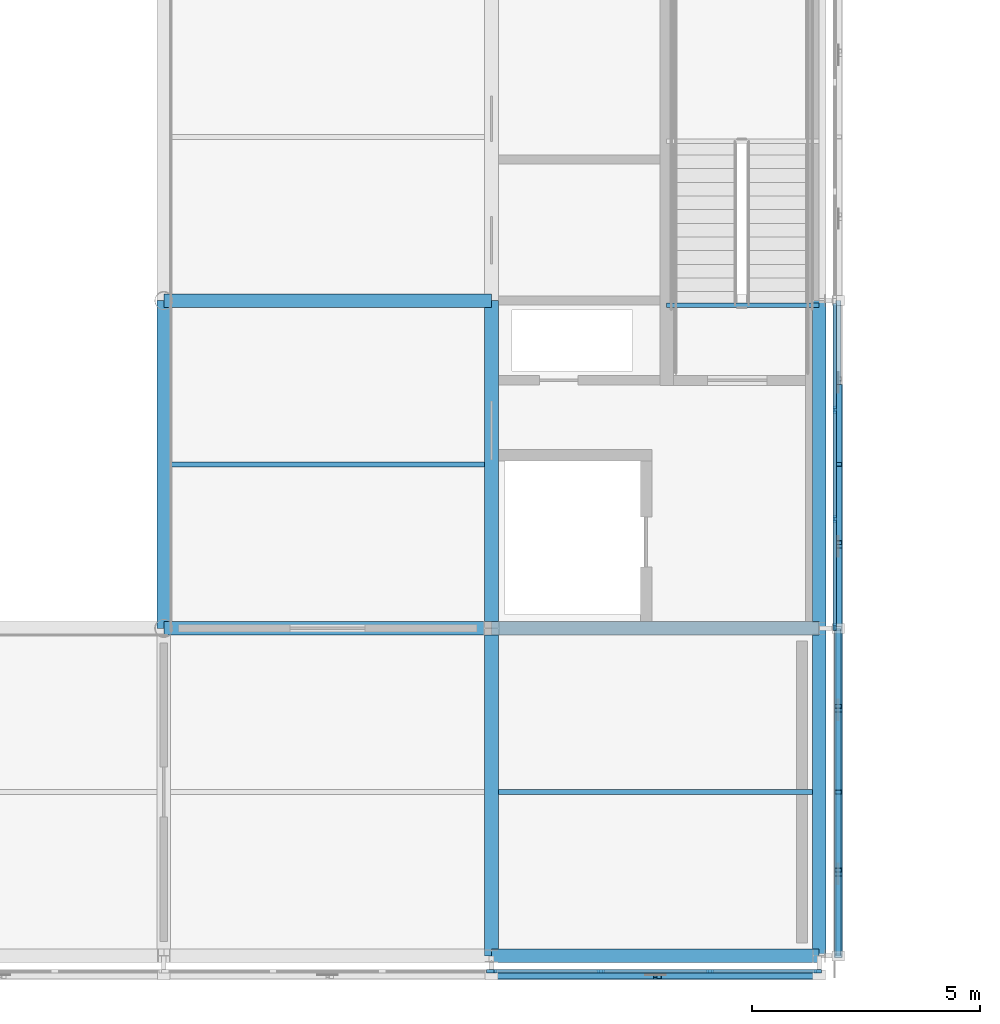
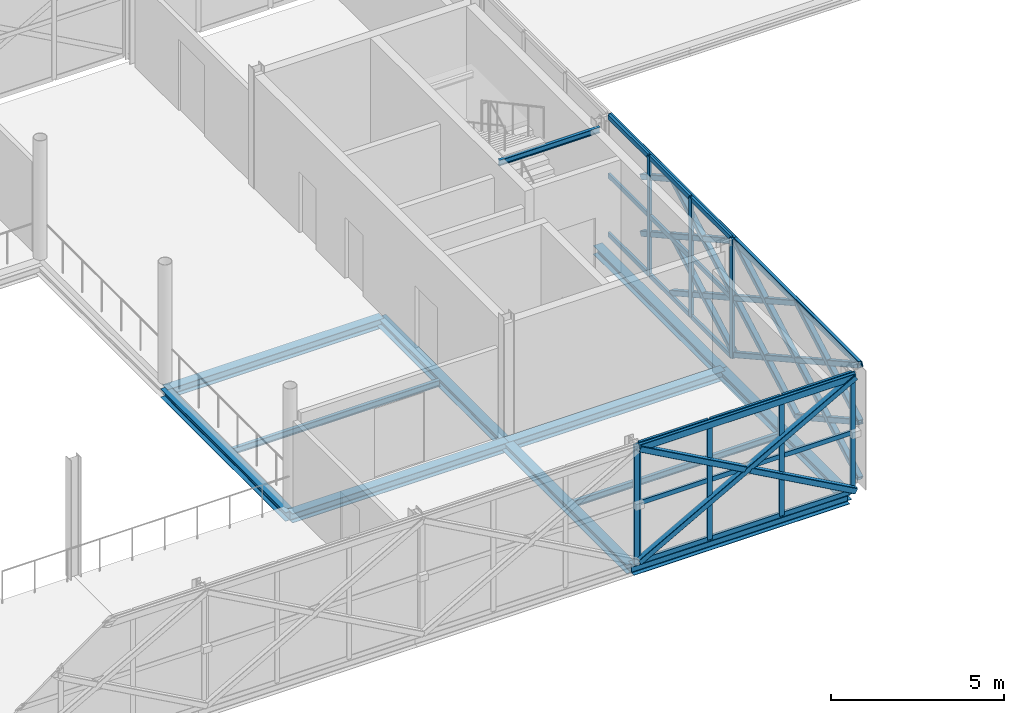
# One storey, part 40 of 103: 52 members, 12 beams, 3 elements without a shape of their own.
"""IFC4 building model written with IfcOpenShell, lengths in metres."""

from ifc_helpers import new_model, si_unit, direction, frame, origin, origin_2d, place, context, subcontext, project, spatial, rectangle, hollow_rectangle, i_section, extrude, material, material_profile, profile_set, type_object, element, aggregate, save


model = new_model("IFC4")

# Units and contexts
model_context = context("Model", 3, precision=1e-05, world=origin(), true_north=direction((0.0, 1.0)))
body_context = subcontext(model_context, "Body", "Model", "MODEL_VIEW")
ifc_project = project(units=[si_unit("LENGTHUNIT", "METRE"), si_unit("AREAUNIT", "SQUARE_METRE"), si_unit("VOLUMEUNIT", "CUBIC_METRE"), si_unit("PLANEANGLEUNIT", "RADIAN"), si_unit("MASSUNIT", "GRAM", prefix="KILO")], contexts=[model_context])

# Site, building, storey
site_placement = place(None, origin())
site = spatial("IfcSite", under=ifc_project, at=site_placement, CompositionType="ELEMENT")
building_placement = place(site_placement, origin())
building = spatial("IfcBuilding", under=site, at=building_placement, Name="Zlatovets Crest Museum", CompositionType="ELEMENT")
storey_placement = place(building_placement, frame((0.0, 0.0, 12.89990234375)))
storey = spatial("IfcBuildingStorey", under=building, at=storey_placement, Name="L03", CompositionType="ELEMENT", Elevation=12.89990234375)

# Beams
ifc_material_1 = material(Name="Structural steel S355J2", Category="steel")
ifc_material_profile_1 = material_profile(ifc_material_1, i_section(OverallWidth=0.300048828125, OverallDepth=0.31005859375, WebThickness=0.009033203125, FlangeThickness=0.015380859375, FilletRadius=0.027099609375, at=origin_2d()), Name="HEA 320")
ifc_profile_set_1 = profile_set([ifc_material_profile_1], Name="Structural steel S355J2")
beam_type_1 = type_object("IfcBeamType", Name="Beam_B-04", PredefinedType="BEAM", material=ifc_profile_set_1)
for number, where, z_axis, x_axis, name in (
    (1, (93.60009765625, 7.199951171875, -0.39501953125), (0.0, 1.0, 0.0), (-1.0, 0.0, 0.0), "V2 L03 Grid Beam B-04"),
    (2, (100.800048828125, 0.0, -0.39501953125), (0.0, 1.0, 0.0), (-1.0, 0.0, 0.0), "V2 L03 Grid Beam B-04"),
    (3, (100.800048828125, 7.199951171875, -0.39501953125), (0.0, 1.0, 0.0), (-1.0, 0.0, 0.0), "V2 L03 Grid Beam B-04"),
    (4, (108.0, 0.0, -0.39501953125), (0.0, 1.0, 0.0), (-1.0, 0.0, 0.0), "V2 L03 Grid Beam B-04"),
    (5, (108.0, 7.199951171875, -0.39501953125), (0.0, 1.0, 0.0), (-1.0, 0.0, 0.0), "V2 L03 Grid Beam B-04"),
):
    element("IfcBeam", number, at=place(storey_placement, frame(where, z_axis=z_axis, x_axis=x_axis)), inside=storey, type_object=beam_type_1, Name=name, PredefinedType="BEAM", context=body_context, shape_type="SweptSolid", body=[
        extrude(i_section(OverallWidth=0.300048828125, OverallDepth=0.31005859375, WebThickness=0.009033203125, FlangeThickness=0.015380859375, FilletRadius=0.027099609375, at=origin_2d()), origin(), (0.0, 0.0, 1.0), 7.199951171875),
    ])
ifc_material_profile_2 = material_profile(ifc_material_1, i_section(OverallWidth=0.300048828125, OverallDepth=0.330078125, WebThickness=0.009521484375, FlangeThickness=0.0166015625, FilletRadius=0.027099609375, at=origin_2d()), Name="HEA 340")
ifc_profile_set_2 = profile_set([ifc_material_profile_2], Name="Structural steel S355J2")
beam_type_2 = type_object("IfcBeamType", Name="Beam_B-11", PredefinedType="BEAM", material=ifc_profile_set_2)
for number, where, z_axis, x_axis, name in (
    (6, (100.800048828125, 0.0, -0.40478515625), (1.0, 0.0, 0.0), (0.0, 1.0, 0.0), "V2 L03 Primary Girder B-11"),
    (7, (93.60009765625, 7.199951171875, -0.40478515625), (1.0, 0.0, 0.0), (0.0, 1.0, 0.0), "V2 L03 Primary Girder B-11"),
    (8, (100.800048828125, 7.199951171875, -0.40478515625), (1.0, 0.0, 0.0), (0.0, 1.0, 0.0), "V2 L03 Primary Girder B-11"),
    (9, (93.60009765625, 14.39990234375, -0.40478515625), (1.0, 0.0, 0.0), (0.0, 1.0, 0.0), "V2 L03 Primary Girder B-11"),
):
    element("IfcBeam", number, at=place(storey_placement, frame(where, z_axis=z_axis, x_axis=x_axis)), inside=storey, type_object=beam_type_2, Name=name, PredefinedType="BEAM", context=body_context, shape_type="SweptSolid", body=[
        extrude(i_section(OverallWidth=0.300048828125, OverallDepth=0.330078125, WebThickness=0.009521484375, FlangeThickness=0.0166015625, FilletRadius=0.027099609375, at=origin_2d()), origin(), (0.0, 0.0, 1.0), 7.199951171875),
    ])
ifc_material_profile_3 = material_profile(ifc_material_1, i_section(OverallWidth=0.110107421875, OverallDepth=0.219970703125, WebThickness=0.005859375, FlangeThickness=0.00927734375, FilletRadius=0.011962890625, at=origin_2d()), Name="IPE 220")
ifc_profile_set_3 = profile_set([ifc_material_profile_3], Name="Structural steel S355J2")
beam_type_3 = type_object("IfcBeamType", Name="Beam_J-10", PredefinedType="JOIST", material=ifc_profile_set_3)
beam_1_placement = place(storey_placement, frame((93.75, 10.800048828125, -0.349853515625), z_axis=(1.0, 0.0, 0.0), x_axis=(0.0, 1.0, 0.0)))
element("IfcBeam", 10, at=beam_1_placement, inside=storey, type_object=beam_type_3, Name="V2 L03 Composite Joist J-10", PredefinedType="JOIST", context=body_context, shape_type="SweptSolid", body=[
    extrude(i_section(OverallWidth=0.110107421875, OverallDepth=0.219970703125, WebThickness=0.005859375, FlangeThickness=0.00927734375, FilletRadius=0.011962890625, at=origin_2d()), origin(), (0.0, 0.0, 1.0), 6.89990234375),
])
beam_2_placement = place(storey_placement, frame((100.949951171875, 3.60009765625, -0.349853515625), z_axis=(1.0, 0.0, 0.0), x_axis=(0.0, 1.0, 0.0)))
element("IfcBeam", 11, at=beam_2_placement, inside=storey, type_object=beam_type_3, Name="V2 L03 Composite Joist J-10", PredefinedType="JOIST", context=body_context, shape_type="SweptSolid", body=[
    extrude(i_section(OverallWidth=0.110107421875, OverallDepth=0.219970703125, WebThickness=0.005859375, FlangeThickness=0.00927734375, FilletRadius=0.011962890625, at=origin_2d()), origin(), (0.0, 0.0, 1.0), 6.900146484375),
])
ifc_material_profile_4 = material_profile(ifc_material_1, i_section(OverallWidth=0.10009765625, OverallDepth=0.199951171875, WebThickness=0.005615234375, FlangeThickness=0.008544921875, FilletRadius=0.011962890625, at=origin_2d()), Name="IPE 200")
ifc_profile_set_4 = profile_set([ifc_material_profile_4], Name="Structural steel S355J2")
beam_type_4 = type_object("IfcBeamType", Name="Beam_PR-02", PredefinedType="LINTEL", material=ifc_profile_set_4)
beam_3_placement = place(storey_placement, frame((104.64990234375, 14.300048828125, 3.860107421875), z_axis=(1.0, 0.0, 0.0), x_axis=(0.0, 1.0, 0.0)))
element("IfcBeam", 12, at=beam_3_placement, inside=storey, type_object=beam_type_4, Name="Core C8 L03 Stair Well Header Beam", PredefinedType="LINTEL", context=body_context, shape_type="SweptSolid", body=[
    extrude(i_section(OverallWidth=0.10009765625, OverallDepth=0.199951171875, WebThickness=0.005615234375, FlangeThickness=0.008544921875, FilletRadius=0.011962890625, at=origin_2d()), origin(), (0.0, 0.0, 1.0), 3.35009765625),
])

# Curtain wall, member
ifc_material_2 = material(Name="Bronze-anodised aluminium and low-E triple glass", Category="aluminium")
curtain_wall_type_1 = type_object("IfcCurtainWallType", Name="CW_CW-V2-L03-M1", PredefinedType="NOTDEFINED", material=ifc_material_2)
curtain_wall_1_placement = place(storey_placement, origin())
curtain_wall_1 = element("IfcCurtainWall", 13, at=curtain_wall_1_placement, inside=storey, type_object=curtain_wall_type_1, Name="V2 L03 Secession Foyer Clear Curtain Wall", PredefinedType="NOTDEFINED")
ifc_material_3 = material(Name="Bronze-anodised aluminium EN AW-6060", Category="aluminium")
ifc_material_profile_5 = material_profile(ifc_material_3, rectangle(XDim=0.080078125, YDim=0.159912109375, at=origin_2d()), Name="ALU 80x160")
ifc_profile_set_5 = profile_set([ifc_material_profile_5], Name="Bronze-anodised aluminium EN AW-6060")
member_type_1 = type_object("IfcMemberType", Name="CWMull_M1", PredefinedType="MULLION", material=ifc_profile_set_5)
member_1_placement = place(storey_placement, frame((100.77001953125, -0.340087890625, 0.0), z_axis=(0.0, 0.0, 1.0), x_axis=(0.0, 1.0, 0.0)))
member_1 = element("IfcMember", 14, at=member_1_placement, type_object=member_type_1, Name="CW-V2-L03-M1 mullion 4", PredefinedType="MULLION", context=body_context, shape_type="SweptSolid", body=[
    extrude(rectangle(XDim=0.080078125, YDim=0.159912109375, at=origin_2d()), origin(), (0.0, 0.0, 1.0), 4.2001953125),
])
aggregate(curtain_wall_1, [member_1])

# Curtain wall, members
curtain_wall_type_2 = type_object("IfcCurtainWallType", Name="CW_CW-V2-L03-M2", PredefinedType="NOTDEFINED", material=ifc_material_2)
curtain_wall_2_placement = place(storey_placement, origin())
curtain_wall_2 = element("IfcCurtainWall", 15, at=curtain_wall_2_placement, inside=storey, type_object=curtain_wall_type_2, Name="V2 L03 Secession Foyer Clear Curtain Wall", PredefinedType="NOTDEFINED")
member_2_placement = place(storey_placement, frame((100.830078125, -0.340087890625, 0.0), z_axis=(0.0, 0.0, 1.0), x_axis=(0.0, 1.0, 0.0)))
member_2 = element("IfcMember", 16, at=member_2_placement, type_object=member_type_1, Name="CW-V2-L03-M2 mullion 1", PredefinedType="MULLION", context=body_context, shape_type="SweptSolid", body=[
    extrude(rectangle(XDim=0.080078125, YDim=0.159912109375, at=origin_2d()), origin(), (0.0, 0.0, 1.0), 4.2001953125),
])
member_3_placement = place(storey_placement, frame((103.199951171875, -0.340087890625, 0.0), z_axis=(0.0, 0.0, 1.0), x_axis=(0.0, 1.0, 0.0)))
member_3 = element("IfcMember", 17, at=member_3_placement, type_object=member_type_1, Name="CW-V2-L03-M2 mullion 2", PredefinedType="MULLION", context=body_context, shape_type="SweptSolid", body=[
    extrude(rectangle(XDim=0.080078125, YDim=0.159912109375, at=origin_2d()), origin(), (0.0, 0.0, 1.0), 4.2001953125),
])
member_4_placement = place(storey_placement, frame((105.60009765625, -0.340087890625, 0.0), z_axis=(0.0, 0.0, 1.0), x_axis=(0.0, 1.0, 0.0)))
member_4 = element("IfcMember", 18, at=member_4_placement, type_object=member_type_1, Name="CW-V2-L03-M2 mullion 3", PredefinedType="MULLION", context=body_context, shape_type="SweptSolid", body=[
    extrude(rectangle(XDim=0.080078125, YDim=0.159912109375, at=origin_2d()), origin(), (0.0, 0.0, 1.0), 4.2001953125),
])
member_5_placement = place(storey_placement, frame((107.969970703125, -0.340087890625, 0.0), z_axis=(0.0, 0.0, 1.0), x_axis=(0.0, 1.0, 0.0)))
member_5 = element("IfcMember", 19, at=member_5_placement, type_object=member_type_1, Name="CW-V2-L03-M2 mullion 4", PredefinedType="MULLION", context=body_context, shape_type="SweptSolid", body=[
    extrude(rectangle(XDim=0.080078125, YDim=0.159912109375, at=origin_2d()), origin(), (0.0, 0.0, 1.0), 4.2001953125),
])

curtain_wall_type_3 = type_object("IfcCurtainWallType", Name="CW_CW-V2-L03-M0", PredefinedType="NOTDEFINED", material=ifc_material_2)
curtain_wall_3_placement = place(storey_placement, origin())
curtain_wall_3 = element("IfcCurtainWall", 20, at=curtain_wall_3_placement, inside=storey, type_object=curtain_wall_type_3, Name="V2 L03 Expressed Core Glazed Facade", PredefinedType="NOTDEFINED")
member_6_placement = place(storey_placement, frame((108.340087890625, 7.22998046875, 0.0), z_axis=(0.0, 0.0, 1.0), x_axis=(-1.0, 0.0, 0.0)))
member_6 = element("IfcMember", 21, at=member_6_placement, type_object=member_type_1, Name="CW-V2-L03-M0 mullion 1", PredefinedType="MULLION", context=body_context, shape_type="SweptSolid", body=[
    extrude(rectangle(XDim=0.080078125, YDim=0.159912109375, at=origin_2d()), origin(), (0.0, 0.0, 1.0), 4.2001953125),
])
member_7_placement = place(storey_placement, frame((108.340087890625, 9.60009765625, 0.0), z_axis=(0.0, 0.0, 1.0), x_axis=(-1.0, 0.0, 0.0)))
member_7 = element("IfcMember", 22, at=member_7_placement, type_object=member_type_1, Name="CW-V2-L03-M0 mullion 2", PredefinedType="MULLION", context=body_context, shape_type="SweptSolid", body=[
    extrude(rectangle(XDim=0.080078125, YDim=0.159912109375, at=origin_2d()), origin(), (0.0, 0.0, 1.0), 4.2001953125),
])
member_8_placement = place(storey_placement, frame((108.340087890625, 12.0, 0.0), z_axis=(0.0, 0.0, 1.0), x_axis=(-1.0, 0.0, 0.0)))
member_8 = element("IfcMember", 23, at=member_8_placement, type_object=member_type_1, Name="CW-V2-L03-M0 mullion 3", PredefinedType="MULLION", context=body_context, shape_type="SweptSolid", body=[
    extrude(rectangle(XDim=0.080078125, YDim=0.159912109375, at=origin_2d()), origin(), (0.0, 0.0, 1.0), 4.2001953125),
])

# Member
ifc_material_profile_6 = material_profile(ifc_material_3, rectangle(XDim=0.080078125, YDim=0.159912109375, at=origin_2d()), Name="ALU 80x160")
ifc_profile_set_6 = profile_set([ifc_material_profile_6], Name="Bronze-anodised aluminium EN AW-6060")
member_type_2 = type_object("IfcMemberType", Name="CWTrans_T1", PredefinedType="USERDEFINED", material=ifc_profile_set_6)
member_9_placement = place(storey_placement, frame((100.860107421875, -0.340087890625, 0.030029296875), z_axis=(1.0, 0.0, 0.0), x_axis=(0.0, 1.0, 0.0)))
member_9 = element("IfcMember", 24, at=member_9_placement, type_object=member_type_2, Name="CW-V2-L03-M2 transom 1.1", ObjectType="TRANSOM", PredefinedType="USERDEFINED", context=body_context, shape_type="SweptSolid", body=[
    extrude(rectangle(XDim=0.080078125, YDim=0.159912109375, at=origin_2d()), origin(), (0.0, 0.0, 1.0), 2.309814453125),
])

member_10_placement = place(storey_placement, frame((100.860107421875, -0.340087890625, 2.10009765625), z_axis=(1.0, 0.0, 0.0), x_axis=(0.0, 1.0, 0.0)))
member_10 = element("IfcMember", 25, at=member_10_placement, type_object=member_type_2, Name="CW-V2-L03-M2 transom 1.2", ObjectType="TRANSOM", PredefinedType="USERDEFINED", context=body_context, shape_type="SweptSolid", body=[
    extrude(rectangle(XDim=0.080078125, YDim=0.159912109375, at=origin_2d()), origin(), (0.0, 0.0, 1.0), 2.309814453125),
])

member_11_placement = place(storey_placement, frame((100.860107421875, -0.340087890625, 4.170166015625), z_axis=(1.0, 0.0, 0.0), x_axis=(0.0, 1.0, 0.0)))
member_11 = element("IfcMember", 26, at=member_11_placement, type_object=member_type_2, Name="CW-V2-L03-M2 transom 1.3", ObjectType="TRANSOM", PredefinedType="USERDEFINED", context=body_context, shape_type="SweptSolid", body=[
    extrude(rectangle(XDim=0.080078125, YDim=0.159912109375, at=origin_2d()), origin(), (0.0, 0.0, 1.0), 2.309814453125),
])

member_12_placement = place(storey_placement, frame((103.22998046875, -0.340087890625, 0.030029296875), z_axis=(1.0, 0.0, 0.0), x_axis=(0.0, 1.0, 0.0)))
member_12 = element("IfcMember", 27, at=member_12_placement, type_object=member_type_2, Name="CW-V2-L03-M2 transom 2.1", ObjectType="TRANSOM", PredefinedType="USERDEFINED", context=body_context, shape_type="SweptSolid", body=[
    extrude(rectangle(XDim=0.080078125, YDim=0.159912109375, at=origin_2d()), origin(), (0.0, 0.0, 1.0), 2.340087890625),
])

member_13_placement = place(storey_placement, frame((103.22998046875, -0.340087890625, 2.10009765625), z_axis=(1.0, 0.0, 0.0), x_axis=(0.0, 1.0, 0.0)))
member_13 = element("IfcMember", 28, at=member_13_placement, type_object=member_type_2, Name="CW-V2-L03-M2 transom 2.2", ObjectType="TRANSOM", PredefinedType="USERDEFINED", context=body_context, shape_type="SweptSolid", body=[
    extrude(rectangle(XDim=0.080078125, YDim=0.159912109375, at=origin_2d()), origin(), (0.0, 0.0, 1.0), 2.340087890625),
])

member_14_placement = place(storey_placement, frame((103.22998046875, -0.340087890625, 4.170166015625), z_axis=(1.0, 0.0, 0.0), x_axis=(0.0, 1.0, 0.0)))
member_14 = element("IfcMember", 29, at=member_14_placement, type_object=member_type_2, Name="CW-V2-L03-M2 transom 2.3", ObjectType="TRANSOM", PredefinedType="USERDEFINED", context=body_context, shape_type="SweptSolid", body=[
    extrude(rectangle(XDim=0.080078125, YDim=0.159912109375, at=origin_2d()), origin(), (0.0, 0.0, 1.0), 2.340087890625),
])

member_15_placement = place(storey_placement, frame((105.6298828125, -0.340087890625, 0.030029296875), z_axis=(1.0, 0.0, 0.0), x_axis=(0.0, 1.0, 0.0)))
member_15 = element("IfcMember", 30, at=member_15_placement, type_object=member_type_2, Name="CW-V2-L03-M2 transom 3.1", ObjectType="TRANSOM", PredefinedType="USERDEFINED", context=body_context, shape_type="SweptSolid", body=[
    extrude(rectangle(XDim=0.080078125, YDim=0.159912109375, at=origin_2d()), origin(), (0.0, 0.0, 1.0), 2.31005859375),
])

member_16_placement = place(storey_placement, frame((105.6298828125, -0.340087890625, 2.10009765625), z_axis=(1.0, 0.0, 0.0), x_axis=(0.0, 1.0, 0.0)))
member_16 = element("IfcMember", 31, at=member_16_placement, type_object=member_type_2, Name="CW-V2-L03-M2 transom 3.2", ObjectType="TRANSOM", PredefinedType="USERDEFINED", context=body_context, shape_type="SweptSolid", body=[
    extrude(rectangle(XDim=0.080078125, YDim=0.159912109375, at=origin_2d()), origin(), (0.0, 0.0, 1.0), 2.31005859375),
])

member_17_placement = place(storey_placement, frame((105.6298828125, -0.340087890625, 4.170166015625), z_axis=(1.0, 0.0, 0.0), x_axis=(0.0, 1.0, 0.0)))
member_17 = element("IfcMember", 32, at=member_17_placement, type_object=member_type_2, Name="CW-V2-L03-M2 transom 3.3", ObjectType="TRANSOM", PredefinedType="USERDEFINED", context=body_context, shape_type="SweptSolid", body=[
    extrude(rectangle(XDim=0.080078125, YDim=0.159912109375, at=origin_2d()), origin(), (0.0, 0.0, 1.0), 2.31005859375),
])

aggregate(curtain_wall_2, [member_2, member_3, member_4, member_5, member_9, member_10, member_11, member_12, member_13, member_14, member_15, member_16, member_17])

member_18_placement = place(storey_placement, frame((108.340087890625, 7.260009765625, 0.030029296875), z_axis=(0.0, 1.0, 0.0), x_axis=(-1.0, 0.0, 0.0)))
member_18 = element("IfcMember", 33, at=member_18_placement, type_object=member_type_2, Name="CW-V2-L03-M0 transom 1.1", ObjectType="TRANSOM", PredefinedType="USERDEFINED", context=body_context, shape_type="SweptSolid", body=[
    extrude(rectangle(XDim=0.080078125, YDim=0.159912109375, at=origin_2d()), origin(), (0.0, 0.0, 1.0), 2.31005859375),
])

member_19_placement = place(storey_placement, frame((108.340087890625, 7.260009765625, 2.10009765625), z_axis=(0.0, 1.0, 0.0), x_axis=(-1.0, 0.0, 0.0)))
member_19 = element("IfcMember", 34, at=member_19_placement, type_object=member_type_2, Name="CW-V2-L03-M0 transom 1.2", ObjectType="TRANSOM", PredefinedType="USERDEFINED", context=body_context, shape_type="SweptSolid", body=[
    extrude(rectangle(XDim=0.080078125, YDim=0.159912109375, at=origin_2d()), origin(), (0.0, 0.0, 1.0), 2.31005859375),
])

member_20_placement = place(storey_placement, frame((108.340087890625, 7.260009765625, 4.170166015625), z_axis=(0.0, 1.0, 0.0), x_axis=(-1.0, 0.0, 0.0)))
member_20 = element("IfcMember", 35, at=member_20_placement, type_object=member_type_2, Name="CW-V2-L03-M0 transom 1.3", ObjectType="TRANSOM", PredefinedType="USERDEFINED", context=body_context, shape_type="SweptSolid", body=[
    extrude(rectangle(XDim=0.080078125, YDim=0.159912109375, at=origin_2d()), origin(), (0.0, 0.0, 1.0), 2.31005859375),
])

member_21_placement = place(storey_placement, frame((108.340087890625, 9.6298828125, 0.030029296875), z_axis=(0.0, 1.0, 0.0), x_axis=(-1.0, 0.0, 0.0)))
member_21 = element("IfcMember", 36, at=member_21_placement, type_object=member_type_2, Name="CW-V2-L03-M0 transom 2.1", ObjectType="TRANSOM", PredefinedType="USERDEFINED", context=body_context, shape_type="SweptSolid", body=[
    extrude(rectangle(XDim=0.080078125, YDim=0.159912109375, at=origin_2d()), origin(), (0.0, 0.0, 1.0), 2.340087890625),
])

member_22_placement = place(storey_placement, frame((108.340087890625, 9.6298828125, 2.10009765625), z_axis=(0.0, 1.0, 0.0), x_axis=(-1.0, 0.0, 0.0)))
member_22 = element("IfcMember", 37, at=member_22_placement, type_object=member_type_2, Name="CW-V2-L03-M0 transom 2.2", ObjectType="TRANSOM", PredefinedType="USERDEFINED", context=body_context, shape_type="SweptSolid", body=[
    extrude(rectangle(XDim=0.080078125, YDim=0.159912109375, at=origin_2d()), origin(), (0.0, 0.0, 1.0), 2.340087890625),
])

member_23_placement = place(storey_placement, frame((108.340087890625, 9.6298828125, 4.170166015625), z_axis=(0.0, 1.0, 0.0), x_axis=(-1.0, 0.0, 0.0)))
member_23 = element("IfcMember", 38, at=member_23_placement, type_object=member_type_2, Name="CW-V2-L03-M0 transom 2.3", ObjectType="TRANSOM", PredefinedType="USERDEFINED", context=body_context, shape_type="SweptSolid", body=[
    extrude(rectangle(XDim=0.080078125, YDim=0.159912109375, at=origin_2d()), origin(), (0.0, 0.0, 1.0), 2.340087890625),
])

member_24_placement = place(storey_placement, frame((108.340087890625, 12.030029296875, 0.030029296875), z_axis=(0.0, 1.0, 0.0), x_axis=(-1.0, 0.0, 0.0)))
member_24 = element("IfcMember", 39, at=member_24_placement, type_object=member_type_2, Name="CW-V2-L03-M0 transom 3.1", ObjectType="TRANSOM", PredefinedType="USERDEFINED", context=body_context, shape_type="SweptSolid", body=[
    extrude(rectangle(XDim=0.080078125, YDim=0.159912109375, at=origin_2d()), origin(), (0.0, 0.0, 1.0), 2.31005859375),
])

member_25_placement = place(storey_placement, frame((108.340087890625, 12.030029296875, 2.10009765625), z_axis=(0.0, 1.0, 0.0), x_axis=(-1.0, 0.0, 0.0)))
member_25 = element("IfcMember", 40, at=member_25_placement, type_object=member_type_2, Name="CW-V2-L03-M0 transom 3.2", ObjectType="TRANSOM", PredefinedType="USERDEFINED", context=body_context, shape_type="SweptSolid", body=[
    extrude(rectangle(XDim=0.080078125, YDim=0.159912109375, at=origin_2d()), origin(), (0.0, 0.0, 1.0), 2.31005859375),
])

member_26_placement = place(storey_placement, frame((108.340087890625, 12.030029296875, 4.170166015625), z_axis=(0.0, 1.0, 0.0), x_axis=(-1.0, 0.0, 0.0)))
member_26 = element("IfcMember", 41, at=member_26_placement, type_object=member_type_2, Name="CW-V2-L03-M0 transom 3.3", ObjectType="TRANSOM", PredefinedType="USERDEFINED", context=body_context, shape_type="SweptSolid", body=[
    extrude(rectangle(XDim=0.080078125, YDim=0.159912109375, at=origin_2d()), origin(), (0.0, 0.0, 1.0), 2.31005859375),
])

aggregate(curtain_wall_3, [member_6, member_7, member_8, member_18, member_19, member_20, member_21, member_22, member_23, member_24, member_25, member_26])

# Members
ifc_material_4 = material(Name="Weathering bronze-steel S355J2W", Category="steel")
ifc_material_profile_7 = material_profile(ifc_material_4, hollow_rectangle(XDim=0.179931640625, YDim=0.179931640625, WallThickness=0.010009765625, InnerFilletRadius=0.010009765625, OuterFilletRadius=0.02001953125, at=origin_2d()), Name="SHS 180x180x10.0")
ifc_profile_set_7 = profile_set([ifc_material_profile_7], Name="Weathering bronze-steel S355J2W")
member_type_3 = type_object("IfcMemberType", Name="Lattice_XL-01", PredefinedType="BRACE", material=ifc_profile_set_7)
member_27_placement = place(storey_placement, frame((108.419921875, 0.0, 0.10009765625), z_axis=(0.0, 0.874162868644, 0.485632864501), x_axis=(-1.0, 0.0, 0.0)))
element("IfcMember", 42, at=member_27_placement, inside=storey, type_object=member_type_3, Name="Continuous Bronze Lattice Diagonal", PredefinedType="BRACE", context=body_context, shape_type="SweptSolid", body=[
    extrude(hollow_rectangle(XDim=0.179931640625, YDim=0.179931640625, WallThickness=0.010009765625, InnerFilletRadius=0.010009765625, OuterFilletRadius=0.02001953125, at=origin_2d()), origin(), (0.0, 0.0, 1.0), 4.118408203125),
])
for number, where, z_axis, x_axis, name in (
    (43, (108.419921875, 0.0, 2.10009765625), (0.0, 0.874169001841, -0.485621824284), (-1.0, 0.0, 0.0), "Split Crossing Bronze Lattice Diagonal Upper"),
    (44, (108.419921875, 1.883056640625, 1.053955078125), (0.0, 0.874169001841, -0.485621824284), (-1.0, 0.0, 0.0), "Split Crossing Bronze Lattice Diagonal Lower"),
):
    element("IfcMember", number, at=place(storey_placement, frame(where, z_axis=z_axis, x_axis=x_axis)), inside=storey, type_object=member_type_3, Name=name, PredefinedType="BRACE", context=body_context, shape_type="SweptSolid", body=[
        extrude(hollow_rectangle(XDim=0.179931640625, YDim=0.179931640625, WallThickness=0.010009765625, InnerFilletRadius=0.010009765625, OuterFilletRadius=0.02001953125, at=origin_2d()), origin(), (0.0, 0.0, 1.0), 1.964111328125),
    ])
member_28_placement = place(storey_placement, frame((108.419921875, 3.60009765625, 0.10009765625), z_axis=(0.0, 0.874148886685, 0.485658031857), x_axis=(-1.0, 0.0, 0.0)))
element("IfcMember", 45, at=member_28_placement, inside=storey, type_object=member_type_3, Name="Continuous Bronze Lattice Diagonal", PredefinedType="BRACE", context=body_context, shape_type="SweptSolid", body=[
    extrude(hollow_rectangle(XDim=0.179931640625, YDim=0.179931640625, WallThickness=0.010009765625, InnerFilletRadius=0.010009765625, OuterFilletRadius=0.02001953125, at=origin_2d()), origin(), (0.0, 0.0, 1.0), 4.1181640625),
])
member_29_placement = place(storey_placement, frame((108.419921875, 3.60009765625, 2.10009765625), z_axis=(0.0, 0.874139684676, -0.48567459443), x_axis=(-1.0, 0.0, 0.0)))
element("IfcMember", 46, at=member_29_placement, inside=storey, type_object=member_type_3, Name="Split Crossing Bronze Lattice Diagonal Upper", PredefinedType="BRACE", context=body_context, shape_type="SweptSolid", body=[
    extrude(hollow_rectangle(XDim=0.179931640625, YDim=0.179931640625, WallThickness=0.010009765625, InnerFilletRadius=0.010009765625, OuterFilletRadius=0.02001953125, at=origin_2d()), origin(), (0.0, 0.0, 1.0), 1.9638671875),
])
member_30_placement = place(storey_placement, frame((108.419921875, 5.48291015625, 1.053955078125), z_axis=(0.0, 0.874169001841, -0.485621824284), x_axis=(-1.0, 0.0, 0.0)))
element("IfcMember", 47, at=member_30_placement, inside=storey, type_object=member_type_3, Name="Split Crossing Bronze Lattice Diagonal Lower", PredefinedType="BRACE", context=body_context, shape_type="SweptSolid", body=[
    extrude(hollow_rectangle(XDim=0.179931640625, YDim=0.179931640625, WallThickness=0.010009765625, InnerFilletRadius=0.010009765625, OuterFilletRadius=0.02001953125, at=origin_2d()), origin(), (0.0, 0.0, 1.0), 1.964111328125),
])
member_31_placement = place(storey_placement, frame((108.419921875, 0.0, 2.10009765625), z_axis=(0.0, 0.874162868644, 0.485632864501), x_axis=(-1.0, 0.0, 0.0)))
element("IfcMember", 48, at=member_31_placement, inside=storey, type_object=member_type_3, Name="Continuous Bronze Lattice Diagonal", PredefinedType="BRACE", context=body_context, shape_type="SweptSolid", body=[
    extrude(hollow_rectangle(XDim=0.179931640625, YDim=0.179931640625, WallThickness=0.010009765625, InnerFilletRadius=0.010009765625, OuterFilletRadius=0.02001953125, at=origin_2d()), origin(), (0.0, 0.0, 1.0), 4.118408203125),
])
for number, where, z_axis, x_axis, name in (
    (49, (108.419921875, 0.0, 4.10009765625), (0.0, 0.874169001841, -0.485621824284), (-1.0, 0.0, 0.0), "Split Crossing Bronze Lattice Diagonal Upper"),
    (50, (108.419921875, 1.883056640625, 3.053955078125), (0.0, 0.874169001841, -0.485621824284), (-1.0, 0.0, 0.0), "Split Crossing Bronze Lattice Diagonal Lower"),
):
    element("IfcMember", number, at=place(storey_placement, frame(where, z_axis=z_axis, x_axis=x_axis)), inside=storey, type_object=member_type_3, Name=name, PredefinedType="BRACE", context=body_context, shape_type="SweptSolid", body=[
        extrude(hollow_rectangle(XDim=0.179931640625, YDim=0.179931640625, WallThickness=0.010009765625, InnerFilletRadius=0.010009765625, OuterFilletRadius=0.02001953125, at=origin_2d()), origin(), (0.0, 0.0, 1.0), 1.964111328125),
    ])
member_32_placement = place(storey_placement, frame((108.419921875, 3.60009765625, 2.10009765625), z_axis=(0.0, 0.874148886685, 0.485658031857), x_axis=(-1.0, 0.0, 0.0)))
element("IfcMember", 51, at=member_32_placement, inside=storey, type_object=member_type_3, Name="Continuous Bronze Lattice Diagonal", PredefinedType="BRACE", context=body_context, shape_type="SweptSolid", body=[
    extrude(hollow_rectangle(XDim=0.179931640625, YDim=0.179931640625, WallThickness=0.010009765625, InnerFilletRadius=0.010009765625, OuterFilletRadius=0.02001953125, at=origin_2d()), origin(), (0.0, 0.0, 1.0), 4.1181640625),
])
member_33_placement = place(storey_placement, frame((108.419921875, 3.60009765625, 4.10009765625), z_axis=(0.0, 0.874139684676, -0.48567459443), x_axis=(-1.0, 0.0, 0.0)))
element("IfcMember", 52, at=member_33_placement, inside=storey, type_object=member_type_3, Name="Split Crossing Bronze Lattice Diagonal Upper", PredefinedType="BRACE", context=body_context, shape_type="SweptSolid", body=[
    extrude(hollow_rectangle(XDim=0.179931640625, YDim=0.179931640625, WallThickness=0.010009765625, InnerFilletRadius=0.010009765625, OuterFilletRadius=0.02001953125, at=origin_2d()), origin(), (0.0, 0.0, 1.0), 1.9638671875),
])
member_34_placement = place(storey_placement, frame((108.419921875, 5.48291015625, 3.053955078125), z_axis=(0.0, 0.874169001841, -0.485621824284), x_axis=(-1.0, 0.0, 0.0)))
element("IfcMember", 53, at=member_34_placement, inside=storey, type_object=member_type_3, Name="Split Crossing Bronze Lattice Diagonal Lower", PredefinedType="BRACE", context=body_context, shape_type="SweptSolid", body=[
    extrude(hollow_rectangle(XDim=0.179931640625, YDim=0.179931640625, WallThickness=0.010009765625, InnerFilletRadius=0.010009765625, OuterFilletRadius=0.02001953125, at=origin_2d()), origin(), (0.0, 0.0, 1.0), 1.964111328125),
])
member_35_placement = place(storey_placement, frame((108.419921875, 7.199951171875, 0.10009765625), z_axis=(0.0, 0.874162868644, 0.485632864501), x_axis=(-1.0, 0.0, 0.0)))
element("IfcMember", 54, at=member_35_placement, inside=storey, type_object=member_type_3, Name="Continuous Bronze Lattice Diagonal", PredefinedType="BRACE", context=body_context, shape_type="SweptSolid", body=[
    extrude(hollow_rectangle(XDim=0.179931640625, YDim=0.179931640625, WallThickness=0.010009765625, InnerFilletRadius=0.010009765625, OuterFilletRadius=0.02001953125, at=origin_2d()), origin(), (0.0, 0.0, 1.0), 4.118408203125),
])
for number, where, z_axis, x_axis, name in (
    (55, (108.419921875, 7.199951171875, 2.10009765625), (0.0, 0.874169001841, -0.485621824284), (-1.0, 0.0, 0.0), "Split Crossing Bronze Lattice Diagonal Upper"),
    (56, (108.419921875, 9.0830078125, 1.053955078125), (0.0, 0.874169001841, -0.485621824284), (-1.0, 0.0, 0.0), "Split Crossing Bronze Lattice Diagonal Lower"),
    (57, (108.419921875, 10.800048828125, 2.10009765625), (0.0, 0.874169001841, -0.485621824284), (-1.0, 0.0, 0.0), "Split Crossing Bronze Lattice Diagonal Upper"),
):
    element("IfcMember", number, at=place(storey_placement, frame(where, z_axis=z_axis, x_axis=x_axis)), inside=storey, type_object=member_type_3, Name=name, PredefinedType="BRACE", context=body_context, shape_type="SweptSolid", body=[
        extrude(hollow_rectangle(XDim=0.179931640625, YDim=0.179931640625, WallThickness=0.010009765625, InnerFilletRadius=0.010009765625, OuterFilletRadius=0.02001953125, at=origin_2d()), origin(), (0.0, 0.0, 1.0), 1.964111328125),
    ])
member_36_placement = place(storey_placement, frame((108.419921875, 7.199951171875, 2.10009765625), z_axis=(0.0, 0.874162868644, 0.485632864501), x_axis=(-1.0, 0.0, 0.0)))
element("IfcMember", 58, at=member_36_placement, inside=storey, type_object=member_type_3, Name="Continuous Bronze Lattice Diagonal", PredefinedType="BRACE", context=body_context, shape_type="SweptSolid", body=[
    extrude(hollow_rectangle(XDim=0.179931640625, YDim=0.179931640625, WallThickness=0.010009765625, InnerFilletRadius=0.010009765625, OuterFilletRadius=0.02001953125, at=origin_2d()), origin(), (0.0, 0.0, 1.0), 4.118408203125),
])
for number, where, z_axis, x_axis, name in (
    (59, (108.419921875, 7.199951171875, 4.10009765625), (0.0, 0.874169001841, -0.485621824284), (-1.0, 0.0, 0.0), "Split Crossing Bronze Lattice Diagonal Upper"),
    (60, (108.419921875, 9.0830078125, 3.053955078125), (0.0, 0.874169001841, -0.485621824284), (-1.0, 0.0, 0.0), "Split Crossing Bronze Lattice Diagonal Lower"),
    (61, (108.419921875, 10.800048828125, 4.10009765625), (0.0, 0.874169001841, -0.485621824284), (-1.0, 0.0, 0.0), "Split Crossing Bronze Lattice Diagonal Upper"),
):
    element("IfcMember", number, at=place(storey_placement, frame(where, z_axis=z_axis, x_axis=x_axis)), inside=storey, type_object=member_type_3, Name=name, PredefinedType="BRACE", context=body_context, shape_type="SweptSolid", body=[
        extrude(hollow_rectangle(XDim=0.179931640625, YDim=0.179931640625, WallThickness=0.010009765625, InnerFilletRadius=0.010009765625, OuterFilletRadius=0.02001953125, at=origin_2d()), origin(), (0.0, 0.0, 1.0), 1.964111328125),
    ])
ifc_material_profile_8 = material_profile(ifc_material_4, hollow_rectangle(XDim=0.199951171875, YDim=0.199951171875, WallThickness=0.012451171875, InnerFilletRadius=0.012451171875, OuterFilletRadius=0.02490234375, at=origin_2d()), Name="SHS 200x200x12.5")
ifc_profile_set_8 = profile_set([ifc_material_profile_8], Name="Weathering bronze-steel S355J2W")
member_type_4 = type_object("IfcMemberType", Name="Lattice_XL-02", PredefinedType="BRACE", material=ifc_profile_set_8)
member_37_placement = place(storey_placement, frame((100.800048828125, -0.419921875, 0.10009765625), z_axis=(0.874155877937, 0.0, 0.485645447903), x_axis=(0.0, 1.0, 0.0)))
element("IfcMember", 62, at=member_37_placement, inside=storey, type_object=member_type_4, Name="Continuous Bronze Lattice Diagonal", PredefinedType="BRACE", context=body_context, shape_type="SweptSolid", body=[
    extrude(hollow_rectangle(XDim=0.199951171875, YDim=0.199951171875, WallThickness=0.012451171875, InnerFilletRadius=0.012451171875, OuterFilletRadius=0.02490234375, at=origin_2d()), origin(), (0.0, 0.0, 1.0), 8.236572265625),
])
member_38_placement = place(storey_placement, frame((100.800048828125, -0.419921875, 4.10009765625), z_axis=(0.874151551165, 0.0, -0.485653235958), x_axis=(0.0, 1.0, 0.0)))
element("IfcMember", 63, at=member_38_placement, inside=storey, type_object=member_type_4, Name="Split Crossing Bronze Lattice Diagonal Upper", PredefinedType="BRACE", context=body_context, shape_type="SweptSolid", body=[
    extrude(hollow_rectangle(XDim=0.199951171875, YDim=0.199951171875, WallThickness=0.012451171875, InnerFilletRadius=0.012451171875, OuterFilletRadius=0.02490234375, at=origin_2d()), origin(), (0.0, 0.0, 1.0), 4.023193359375),
])
member_39_placement = place(storey_placement, frame((104.48291015625, -0.419921875, 2.053955078125), z_axis=(0.874165862873, 0.0, -0.485627474703), x_axis=(0.0, 1.0, 0.0)))
element("IfcMember", 64, at=member_39_placement, inside=storey, type_object=member_type_4, Name="Split Crossing Bronze Lattice Diagonal Lower", PredefinedType="BRACE", context=body_context, shape_type="SweptSolid", body=[
    extrude(hollow_rectangle(XDim=0.199951171875, YDim=0.199951171875, WallThickness=0.012451171875, InnerFilletRadius=0.012451171875, OuterFilletRadius=0.02490234375, at=origin_2d()), origin(), (0.0, 0.0, 1.0), 4.0234375),
])
ifc_material_profile_9 = material_profile(ifc_material_4, hollow_rectangle(XDim=0.1201171875, YDim=0.239990234375, WallThickness=0.010009765625, InnerFilletRadius=0.010009765625, OuterFilletRadius=0.02001953125, at=origin_2d()), Name="RHS 120x240x10.0")
ifc_profile_set_9 = profile_set([ifc_material_profile_9], Name="Weathering bronze-steel S355J2W")
member_type_5 = type_object("IfcMemberType", Name="Lattice_XL-04", PredefinedType="CHORD", material=ifc_profile_set_9)
for number, where, z_axis, x_axis, name in (
    (65, (100.800048828125, -0.419921875, 4.10009765625), (1.0, 0.0, 0.0), (0.0, 1.0, 0.0), "Art Nouveau Woven Cage Collector Ring Chord"),
    (66, (108.419921875, 0.0, 4.10009765625), (0.0, 1.0, 0.0), (-1.0, 0.0, 0.0), "Art Nouveau Woven Cage Collector Ring Chord"),
    (67, (108.419921875, 7.199951171875, 4.10009765625), (0.0, 1.0, 0.0), (-1.0, 0.0, 0.0), "Art Nouveau Woven Cage Collector Ring Chord"),
):
    element("IfcMember", number, at=place(storey_placement, frame(where, z_axis=z_axis, x_axis=x_axis)), inside=storey, type_object=member_type_5, Name=name, PredefinedType="CHORD", context=body_context, shape_type="SweptSolid", body=[
        extrude(hollow_rectangle(XDim=0.1201171875, YDim=0.239990234375, WallThickness=0.010009765625, InnerFilletRadius=0.010009765625, OuterFilletRadius=0.02001953125, at=origin_2d()), origin(), (0.0, 0.0, 1.0), 7.199951171875),
    ])

save(model, "model.ifc")
